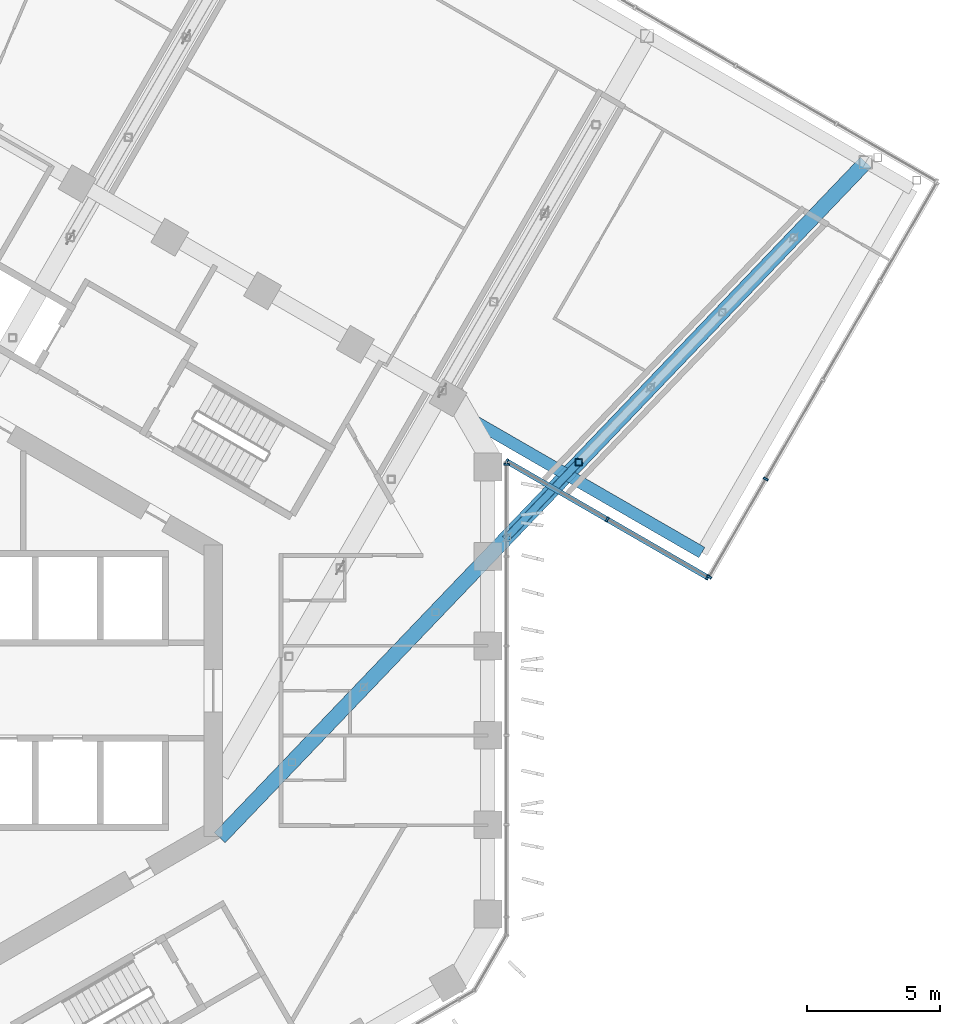
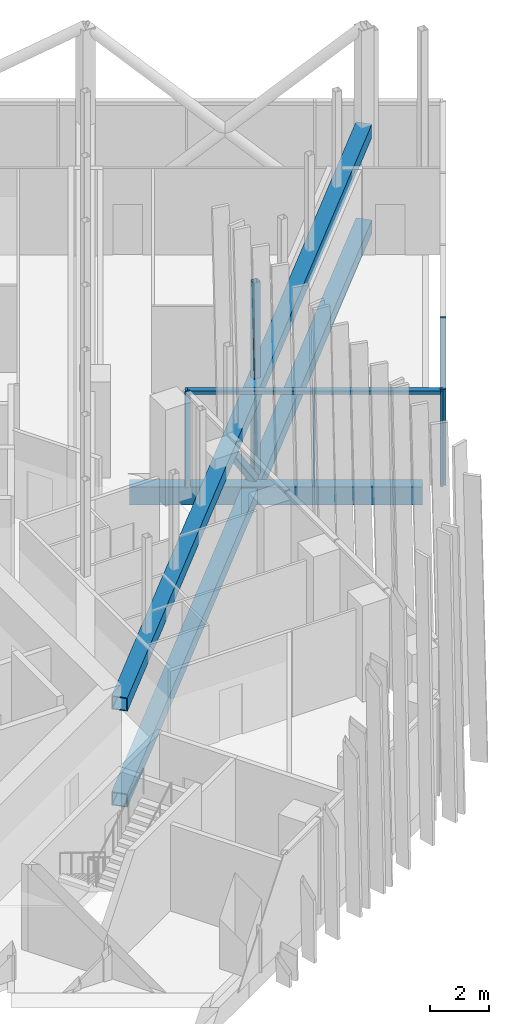
# One storey, part 6 of 31: 12 members, 1 beam, 3 elements without a shape of their own.
"""IFC4 building model written with IfcOpenShell, lengths in metres."""

import ifcopenshell
import ifcopenshell.guid

model = None  # the IFC model being written
_history = None  # IfcOwnerHistory: only IFC2X3 demands one
_inside = {}  # id of a spatial element -> (the spatial element, [elements in it])
_under = {}  # id of a project, library or spatial element -> (it, [spatial elements below it])
_declared = {}  # id of a project -> (the project, [libraries it declares])
_typed = {}  # id of a type object -> (the type object, [elements of that type])
_made_of = {}  # id of a material, layer set ... -> (it, [elements and type objects made of it])


def new_model(schema):
    """Start an empty IFC model of exactly this schema.

    Asked for "IFC4X3", IfcOpenShell would pick the latest addendum, in which some entities
    have other attributes; the version numbers below select the first issue.
    IFC2X3 requires an IfcOwnerHistory on every rooted entity: one is made here for all.
    """
    global model, _history
    if schema == "IFC4X3":
        model = ifcopenshell.file(schema_version=(4, 3, 0, 0))
    else:
        model = ifcopenshell.file(schema=schema)
    _inside.clear()
    _under.clear()
    _declared.clear()
    _typed.clear()
    _made_of.clear()
    _history = None
    if model.schema == "IFC2X3":
        org = make("IfcOrganization", Name="unknown")
        user = make(
            "IfcPersonAndOrganization",
            ThePerson=make("IfcPerson", FamilyName="unknown"),
            TheOrganization=org,
        )
        app = make(
            "IfcApplication",
            ApplicationDeveloper=org,
            Version="unknown",
            ApplicationFullName="unknown",
            ApplicationIdentifier="unknown",
        )
        _history = make(
            "IfcOwnerHistory",
            OwningUser=user,
            OwningApplication=app,
            ChangeAction="ADDED",
            CreationDate=0,
        )
    return model


def make(cls, **values):
    """One entity of the class cls with the attributes given. An attribute that is None is left unset."""
    return model.create_entity(
        cls, **{name: value for name, value in values.items() if value is not None}
    )


def rooted(cls, **values):
    """An entity with a GlobalId (a new one), such as an element, a storey or a relation."""
    return make(cls, GlobalId=ifcopenshell.guid.new(), OwnerHistory=_history, **values)


def si_unit(unit_type, name, prefix=None):
    """IfcSIUnit, for example si_unit("LENGTHUNIT", "METRE", prefix="MILLI")."""
    return make("IfcSIUnit", UnitType=unit_type, Prefix=prefix, Name=name)


def assignment(units):
    """IfcUnitAssignment: the units of a project."""
    return None if units is None else make("IfcUnitAssignment", Units=units)


def point(xyz):
    """IfcCartesianPoint."""
    return None if xyz is None else make("IfcCartesianPoint", Coordinates=xyz)


def direction(xyz):
    """IfcDirection."""
    return None if xyz is None else make("IfcDirection", DirectionRatios=xyz)


def frame(location, z_axis=None, x_axis=None):
    """IfcAxis2Placement3D, a coordinate frame: its origin and axes. An axis left out is left unset."""
    return make(
        "IfcAxis2Placement3D",
        Location=point(location),
        Axis=direction(z_axis),
        RefDirection=direction(x_axis),
    )


def frame_2d(location, x_axis=None):
    """IfcAxis2Placement2D, a coordinate frame in the plane: its origin and x axis."""
    return make(
        "IfcAxis2Placement2D", Location=point(location), RefDirection=direction(x_axis)
    )


def origin():
    """The frame at (0, 0, 0) with its axes left unset."""
    return frame((0.0, 0.0, 0.0))


def origin_2d():
    """The frame at (0, 0) in the plane with its x axis left unset."""
    return frame_2d((0.0, 0.0))


def place(relative_to, where):
    """IfcLocalPlacement: puts the frame where relative to a parent placement (None: the world)."""
    return make(
        "IfcLocalPlacement", PlacementRelTo=relative_to, RelativePlacement=where
    )


def context(
    kind, dimensions, precision=None, world=None, true_north=None, identifier=None
):
    """IfcGeometricRepresentationContext, for example the 3D "Model" context."""
    return make(
        "IfcGeometricRepresentationContext",
        ContextIdentifier=identifier,
        ContextType=kind,
        CoordinateSpaceDimension=dimensions,
        Precision=precision,
        WorldCoordinateSystem=world,
        TrueNorth=true_north,
    )


def subcontext(parent, identifier, kind, view, scale=None):
    """IfcGeometricRepresentationSubContext, for example "Body" below "Model"."""
    return make(
        "IfcGeometricRepresentationSubContext",
        ContextIdentifier=identifier,
        ContextType=kind,
        ParentContext=parent,
        TargetScale=scale,
        TargetView=view,
    )


def project(units=None, contexts=None):
    """IfcProject with its units and contexts."""
    return rooted(
        "IfcProject",
        Name="project",
        RepresentationContexts=contexts,
        UnitsInContext=assignment(units),
    )


def spatial(cls, under=None, at=None, **own):
    """A site, building, storey or space (cls), placed at a placement, below another one or the project."""
    s = rooted(cls, ObjectPlacement=at, **own)
    if under is not None:
        _under.setdefault(under.id(), (under, []))[1].append(s)
    return s


def profile(cls, at=None, kind="AREA", **sizes):
    """A parametric profile (cls). Its sizes go by their IFC names, for example OverallWidth=200.0."""
    return make(cls, ProfileType=kind, Position=at, **sizes)


def rectangle(**sizes):
    """IfcRectangleProfileDef."""
    return profile("IfcRectangleProfileDef", **sizes)


def hollow_rectangle(**sizes):
    """IfcRectangleHollowProfileDef."""
    return profile("IfcRectangleHollowProfileDef", **sizes)


def extrude(swept, where, along, depth):
    """IfcExtrudedAreaSolid: the profile swept, set in the frame where, extruded along a direction by depth."""
    return make(
        "IfcExtrudedAreaSolid",
        SweptArea=swept,
        Position=where,
        ExtrudedDirection=direction(along),
        Depth=depth,
    )


def shape(context_of_items, identifier, shape_type, items):
    """IfcShapeRepresentation: the items that make up one representation, for example the "Body"."""
    return make(
        "IfcShapeRepresentation",
        ContextOfItems=context_of_items,
        RepresentationIdentifier=identifier,
        RepresentationType=shape_type,
        Items=items,
    )


def material(Name=None, Category=None):
    """IfcMaterial."""
    return make("IfcMaterial", Name=Name, Category=Category)


def layer(
    of_material, thickness, ventilated=None, Name=None, Category=None, Priority=None
):
    """IfcMaterialLayer: one layer of a wall or slab, of a material (None: an air gap)."""
    return make(
        "IfcMaterialLayer",
        Material=of_material,
        LayerThickness=thickness,
        IsVentilated=ventilated,
        Name=Name,
        Category=Category,
        Priority=Priority,
    )


def layer_set(layers, Name=None):
    """IfcMaterialLayerSet."""
    return make("IfcMaterialLayerSet", MaterialLayers=layers, LayerSetName=Name)


def material_profile(
    of_material, cross_section, Name=None, Category=None, Priority=None
):
    """IfcMaterialProfile: a cross section and its material."""
    return make(
        "IfcMaterialProfile",
        Name=Name,
        Material=of_material,
        Profile=cross_section,
        Priority=Priority,
        Category=Category,
    )


def profile_set(profiles, Name=None, composite=None):
    """IfcMaterialProfileSet."""
    return make(
        "IfcMaterialProfileSet",
        Name=Name,
        MaterialProfiles=profiles,
        CompositeProfile=composite,
    )


def made_of(thing, what):
    """Note that an element or type object is made of a material, layer set ...; save() writes the relation."""
    if what is not None:
        _made_of.setdefault(what.id(), (what, []))[1].append(thing)
    return thing


def type_object(cls, material=None, **own):
    """A type object (cls), such as IfcWallType, which elements share."""
    return made_of(rooted(cls, **own), material)


def element(
    cls,
    number,
    at=None,
    inside=None,
    cuts=None,
    type_object=None,
    material=None,
    context=None,
    identifier="Body",
    shape_type=None,
    held_by="IfcProductDefinitionShape",
    body=None,
    shapes=None,
    **own,
):
    """One element of the class cls, such as IfcWall. Its Tag is "e" and its number.

    at: its placement. inside: the storey or other place that contains it. cuts: it is an
    opening in that element (IfcRelVoidsElement). A single representation is given by context,
    identifier, shape_type and body (its items); several are given by shapes. held_by: the class
    of the entity that holds the representations. save() writes the other relations.
    """
    e = rooted(cls, Tag="e%d" % number, ObjectPlacement=at, **own)
    if body is not None:
        shapes = [shape(context, identifier, shape_type, body)]
    if shapes is not None:
        e.Representation = make(held_by, Representations=shapes)
    if inside is not None:
        _inside.setdefault(inside.id(), (inside, []))[1].append(e)
    if cuts is not None:
        rooted(
            "IfcRelVoidsElement", RelatingBuildingElement=cuts, RelatedOpeningElement=e
        )
    if type_object is not None:
        _typed.setdefault(type_object.id(), (type_object, []))[1].append(e)
    return made_of(e, material)


def aggregate(whole, parts):
    """IfcRelAggregates: a whole, such as a stair, and the parts it consists of."""
    return rooted("IfcRelAggregates", RelatingObject=whole, RelatedObjects=parts)


def save(model, path):
    """Write the relations noted so far, then the file.

    IfcRelAggregates (storeys below a building ...), IfcRelContainedInSpatialStructure (elements
    in a storey), IfcRelDefinesByType, IfcRelAssociatesMaterial and IfcRelDeclares: one each for
    every whole, place, type object, material and project.
    """
    for whole, parts in _under.values():
        aggregate(whole, parts)
    for where, things in _inside.values():
        rooted(
            "IfcRelContainedInSpatialStructure",
            RelatedElements=things,
            RelatingStructure=where,
        )
    for kind, things in _typed.values():
        rooted("IfcRelDefinesByType", RelatedObjects=things, RelatingType=kind)
    for what, things in _made_of.values():
        rooted("IfcRelAssociatesMaterial", RelatedObjects=things, RelatingMaterial=what)
    for by, libraries in _declared.values():
        rooted("IfcRelDeclares", RelatingContext=by, RelatedDefinitions=libraries)
    model.write(path)


model = new_model("IFC4")

# Units and contexts
model_context = context("Model", 3, precision=1e-05, world=origin(), true_north=direction((0.0, 1.0)))
body_context = subcontext(model_context, "Body", "Model", "MODEL_VIEW")
ifc_project = project(units=[si_unit("LENGTHUNIT", "METRE"), si_unit("AREAUNIT", "SQUARE_METRE"), si_unit("VOLUMEUNIT", "CUBIC_METRE"), si_unit("PLANEANGLEUNIT", "RADIAN"), si_unit("MASSUNIT", "GRAM", prefix="KILO")], contexts=[model_context])

# Site, building, storey
site_placement = place(None, origin())
site = spatial("IfcSite", under=ifc_project, at=site_placement, CompositionType="ELEMENT")
building_placement = place(site_placement, origin())
building = spatial("IfcBuilding", under=site, at=building_placement, Name="Ayvan Gate Tower", CompositionType="ELEMENT")
storey_placement = place(building_placement, frame((0.0, 0.0, 135.89990234375)))
storey = spatial("IfcBuildingStorey", under=building, at=storey_placement, Name="L36", CompositionType="ELEMENT", Elevation=135.89990234375)

# Beam
ifc_material_1 = material(Name="Concrete C40/50", Category="concrete")
ifc_material_profile_1 = material_profile(ifc_material_1, rectangle(XDim=0.449951171875, YDim=0.75, at=origin_2d()), Name="RC 450x750")
ifc_profile_set_1 = profile_set([ifc_material_profile_1], Name="Concrete C40/50")
beam_type = type_object("IfcBeamType", Name="Sky bar edge beam RC 450x750 C40/50", PredefinedType="BEAM", material=ifc_profile_set_1)
beam_placement = place(storey_placement, frame((27.534912109375, 5.192138671875, -0.77490234375), z_axis=(-0.866026667787, 0.499997810678, 0.0), x_axis=(-0.499997810678, -0.866026667787, 0.0)))
element("IfcBeam", 1, at=beam_placement, inside=storey, type_object=beam_type, Name="EB-B3-L36-9", PredefinedType="BEAM", context=body_context, shape_type="SweptSolid", body=[
    extrude(rectangle(XDim=0.449951171875, YDim=0.75, at=origin_2d()), origin(), (0.0, 0.0, 1.0), 10.0029296875),
])

# Members
ifc_material_2 = material(Name="Steel S460NH", Category="steel")
ifc_material_profile_2 = material_profile(ifc_material_2, hollow_rectangle(XDim=0.300048828125, YDim=0.300048828125, WallThickness=0.02001953125, InnerFilletRadius=0.02001953125, OuterFilletRadius=0.030029296875, at=origin_2d()), Name="RHS 300x300x20")
ifc_profile_set_2 = profile_set([ifc_material_profile_2], Name="Steel S460NH")
member_type_1 = type_object("IfcMemberType", Name="Sky bar end truss brace B3 RHS 300x300x20", PredefinedType="BRACE", material=ifc_profile_set_2)
member_1_placement = place(storey_placement, frame((20.210205078125, 5.76904296875, 3.275146484375), z_axis=(0.482819066474, 0.50474553394, -0.715623989968), x_axis=(-0.722628276355, 0.691236843789, 0.0)))
element("IfcMember", 2, at=member_1_placement, inside=storey, type_object=member_type_1, Name="SBT3-1-D-5", PredefinedType="BRACE", context=body_context, shape_type="SweptSolid", body=[
    extrude(hollow_rectangle(XDim=0.300048828125, YDim=0.300048828125, WallThickness=0.02001953125, InnerFilletRadius=0.02001953125, OuterFilletRadius=0.030029296875, at=origin_2d()), origin(), (0.0, 0.0, 1.0), 5.589599609375),
])
ifc_material_3 = material(Name="Steel S460ML", Category="steel")
ifc_material_profile_3 = material_profile(ifc_material_3, hollow_rectangle(XDim=0.56005859375, YDim=0.56005859375, WallThickness=0.034912109375, at=origin_2d()), Name="BOX 560x560x35")
ifc_profile_set_3 = profile_set([ifc_material_profile_3], Name="Steel S460ML")
member_type_2 = type_object("IfcMemberType", Name="Sky bar end truss chord B3 BOX 560x560x35", PredefinedType="CHORD", material=ifc_profile_set_3)
for number, where, z_axis, x_axis, name in (
    (3, (9.396240234375, -5.536865234375, -0.724853515625), (0.691213818493, 0.722650300716, 0.0), (-0.722650300716, 0.691213818493, 0.0), "SBT3-1-BC-1"),
    (4, (9.396240234375, -5.536865234375, 3.275146484375), (0.691213818493, 0.722650300716, 0.0), (-0.722650300716, 0.691213818493, 0.0), "SBT3-1-TC-1"),
):
    element("IfcMember", number, at=place(storey_placement, frame(where, z_axis=z_axis, x_axis=x_axis)), inside=storey, type_object=member_type_2, Name=name, PredefinedType="CHORD", context=body_context, shape_type="SweptSolid", body=[
        extrude(hollow_rectangle(XDim=0.56005859375, YDim=0.56005859375, WallThickness=0.034912109375, at=origin_2d()), origin(), (0.0, 0.0, 1.0), 35.1650390625),
    ])
ifc_material_profile_4 = material_profile(ifc_material_2, hollow_rectangle(XDim=0.27001953125, YDim=0.27001953125, WallThickness=0.01611328125, InnerFilletRadius=0.01611328125, OuterFilletRadius=0.02392578125, at=origin_2d()), Name="RHS 270x270x16")
ifc_profile_set_4 = profile_set([ifc_material_profile_4], Name="Steel S460NH")
member_type_3 = type_object("IfcMemberType", Name="Sky bar end truss post B3 RHS 270x270x16", PredefinedType="POST", material=ifc_profile_set_4)
member_2_placement = place(storey_placement, frame((22.908935546875, 8.59033203125, -0.39990234375), z_axis=(0.0, 0.0, 1.0), x_axis=(1.0, 0.0, 0.0)))
element("IfcMember", 5, at=member_2_placement, inside=storey, type_object=member_type_3, Name="SBT3-1-P-5", PredefinedType="POST", context=body_context, shape_type="SweptSolid", body=[
    extrude(hollow_rectangle(XDim=0.27001953125, YDim=0.27001953125, WallThickness=0.01611328125, InnerFilletRadius=0.01611328125, OuterFilletRadius=0.02392578125, at=origin_2d()), origin(), (0.0, 0.0, 1.0), 3.35009765625),
])
ifc_material_profile_5 = material_profile(ifc_material_2, hollow_rectangle(XDim=0.260009765625, YDim=0.260009765625, WallThickness=0.012451171875, InnerFilletRadius=0.012451171875, OuterFilletRadius=0.018798828125, at=origin_2d()), Name="RHS 260x260x12.5")
ifc_profile_set_5 = profile_set([ifc_material_profile_5], Name="Steel S460NH")
member_type_4 = type_object("IfcMemberType", Name="Sky bar upper post B3 RHS 260x260x12.5", PredefinedType="POST", material=ifc_profile_set_5)
member_3_placement = place(storey_placement, frame((22.908935546875, 8.59033203125, 3.60009765625), z_axis=(0.0, 0.0, 1.0), x_axis=(1.0, 0.0, 0.0)))
element("IfcMember", 6, at=member_3_placement, inside=storey, type_object=member_type_4, Name="SBT3-1-U-5", PredefinedType="POST", context=body_context, shape_type="SweptSolid", body=[
    extrude(hollow_rectangle(XDim=0.260009765625, YDim=0.260009765625, WallThickness=0.012451171875, InnerFilletRadius=0.012451171875, OuterFilletRadius=0.018798828125, at=origin_2d()), origin(), (0.0, 0.0, 1.0), 4.0),
])

# Curtain wall, member
ifc_material_4 = material(Name="Bronze anodised aluminium", Category="aluminium")
ifc_layer_1 = layer(ifc_material_4, 0.199951171875)
ifc_layer_set_1 = layer_set([ifc_layer_1], Name="Bronze anodised aluminium")
curtain_wall_type_1 = type_object("IfcCurtainWallType", Name="Stick curtain wall CW-1", PredefinedType="NOTDEFINED", material=ifc_layer_set_1)
curtain_wall_1_placement = place(storey_placement, origin())
curtain_wall_1 = element("IfcCurtainWall", 7, at=curtain_wall_1_placement, inside=storey, type_object=curtain_wall_type_1, Name="Stick curtain wall CW-1 L36", PredefinedType="NOTDEFINED")
ifc_material_profile_6 = material_profile(ifc_material_4, rectangle(XDim=0.199951171875, YDim=0.06005859375, at=origin_2d()), Name="Stick curtain wall CW-1 mullion 200 x 60")
ifc_profile_set_6 = profile_set([ifc_material_profile_6], Name="Bronze anodised aluminium")
member_type_5 = type_object("IfcMemberType", Name="Stick curtain wall CW-1 mullion 200 x 60", PredefinedType="MULLION", material=ifc_profile_set_6)
member_4_placement = place(storey_placement, frame((20.185546875, 8.515869140625, 0.0), z_axis=(0.0, 0.0, 1.0), x_axis=(1.0, 0.0, 0.0)))
member_4 = element("IfcMember", 8, at=member_4_placement, type_object=member_type_5, Name="CW-1 mullion 6", PredefinedType="MULLION", context=body_context, shape_type="SweptSolid", body=[
    extrude(rectangle(XDim=0.199951171875, YDim=0.06005859375, at=origin_2d()), origin(), (0.0, 0.0, 1.0), 4.0),
])
aggregate(curtain_wall_1, [member_4])

# Curtain wall, members
ifc_layer_2 = layer(ifc_material_4, 0.199951171875)
ifc_layer_set_2 = layer_set([ifc_layer_2], Name="Bronze anodised aluminium")
curtain_wall_type_2 = type_object("IfcCurtainWallType", Name="Stick curtain wall CW-4", PredefinedType="NOTDEFINED", material=ifc_layer_set_2)
curtain_wall_2_placement = place(storey_placement, origin())
curtain_wall_2 = element("IfcCurtainWall", 9, at=curtain_wall_2_placement, inside=storey, type_object=curtain_wall_type_2, Name="Stick curtain wall CW-4 L36", PredefinedType="NOTDEFINED")
ifc_material_profile_7 = material_profile(ifc_material_4, rectangle(XDim=0.199951171875, YDim=0.080078125, at=origin_2d()), Name="Stick curtain wall CW-4 mullion 200 x 80")
ifc_profile_set_7 = profile_set([ifc_material_profile_7], Name="Bronze anodised aluminium")
member_type_6 = type_object("IfcMemberType", Name="Stick curtain wall CW-4 mullion 200 x 80", PredefinedType="MULLION", material=ifc_profile_set_7)
member_5_placement = place(storey_placement, frame((20.194580078125, 8.621826171875, 0.0), z_axis=(0.0, 0.0, 1.0), x_axis=(-0.5, -0.866025403784, 0.0)))
member_5 = element("IfcMember", 10, at=member_5_placement, type_object=member_type_6, Name="CW-4 mullion 1", PredefinedType="MULLION", context=body_context, shape_type="SweptSolid", body=[
    extrude(rectangle(XDim=0.199951171875, YDim=0.080078125, at=origin_2d()), origin(), (0.0, 0.0, 1.0), 4.0),
])
member_6_placement = place(storey_placement, frame((23.9755859375, 6.438720703125, 0.0), z_axis=(0.0, 0.0, 1.0), x_axis=(-0.5, -0.866025403784, 0.0)))
member_6 = element("IfcMember", 11, at=member_6_placement, type_object=member_type_6, Name="CW-4 mullion 2", PredefinedType="MULLION", context=body_context, shape_type="SweptSolid", body=[
    extrude(rectangle(XDim=0.199951171875, YDim=0.080078125, at=origin_2d()), origin(), (0.0, 0.0, 1.0), 4.0),
])
member_7_placement = place(storey_placement, frame((27.756591796875, 4.255859375, 0.0), z_axis=(0.0, 0.0, 1.0), x_axis=(-0.5, -0.866025403784, 0.0)))
member_7 = element("IfcMember", 12, at=member_7_placement, type_object=member_type_6, Name="CW-4 mullion 3", PredefinedType="MULLION", context=body_context, shape_type="SweptSolid", body=[
    extrude(rectangle(XDim=0.199951171875, YDim=0.080078125, at=origin_2d()), origin(), (0.0, 0.0, 1.0), 4.0),
])

curtain_wall_3_placement = place(storey_placement, origin())
curtain_wall_3 = element("IfcCurtainWall", 13, at=curtain_wall_3_placement, inside=storey, type_object=curtain_wall_type_2, Name="Stick curtain wall CW-4 L36", PredefinedType="NOTDEFINED")
member_8_placement = place(storey_placement, frame((27.811279296875, 4.2705078125, 0.0), z_axis=(0.0, 0.0, 1.0), x_axis=(0.866025403784, -0.5, 0.0)))
member_8 = element("IfcMember", 14, at=member_8_placement, type_object=member_type_6, Name="CW-4 mullion 1", PredefinedType="MULLION", context=body_context, shape_type="SweptSolid", body=[
    extrude(rectangle(XDim=0.199951171875, YDim=0.080078125, at=origin_2d()), origin(), (0.0, 0.0, 1.0), 4.0),
])
member_9_placement = place(storey_placement, frame((29.941162109375, 7.959716796875, 0.0), z_axis=(0.0, 0.0, 1.0), x_axis=(0.866025403784, -0.5, 0.0)))
member_9 = element("IfcMember", 15, at=member_9_placement, type_object=member_type_6, Name="CW-4 mullion 2", PredefinedType="MULLION", context=body_context, shape_type="SweptSolid", body=[
    extrude(rectangle(XDim=0.199951171875, YDim=0.080078125, at=origin_2d()), origin(), (0.0, 0.0, 1.0), 4.0),
])
aggregate(curtain_wall_3, [member_8, member_9])

# Member
ifc_material_profile_8 = material_profile(ifc_material_4, rectangle(XDim=0.199951171875, YDim=0.139892578125, at=origin_2d()), Name="Stick curtain wall CW-4 transom 200 x 140")
ifc_profile_set_8 = profile_set([ifc_material_profile_8], Name="Bronze anodised aluminium")
member_type_7 = type_object("IfcMemberType", Name="Stick curtain wall CW-4 transom 200 x 140", PredefinedType="USERDEFINED", material=ifc_profile_set_8)
member_10_placement = place(storey_placement, frame((20.194580078125, 8.621826171875, 3.93017578125), z_axis=(0.866023554302, -0.500003203383, 0.0), x_axis=(0.500003203383, 0.866023554302, 0.0)))
member_10 = element("IfcMember", 16, at=member_10_placement, type_object=member_type_7, Name="CW-4 transom 1", ObjectType="TRANSOM", PredefinedType="USERDEFINED", context=body_context, shape_type="SweptSolid", body=[
    extrude(rectangle(XDim=0.199951171875, YDim=0.139892578125, at=origin_2d()), origin(), (0.0, 0.0, 1.0), 8.73193359375),
])

aggregate(curtain_wall_2, [member_5, member_6, member_7, member_10])

save(model, "model.ifc")
